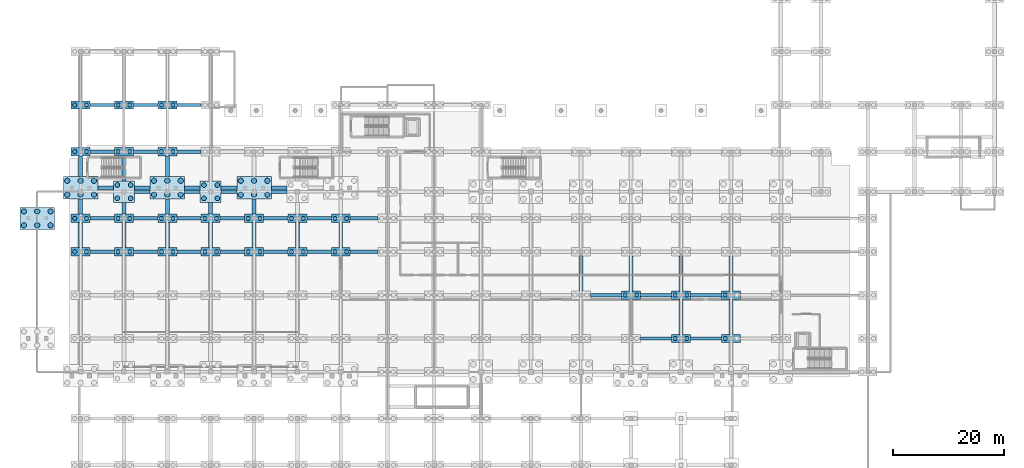
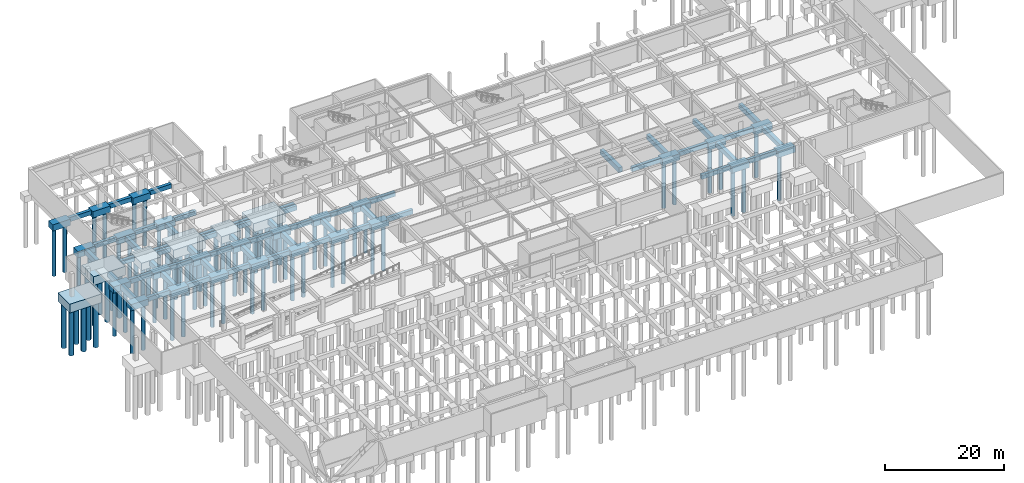
# One storey, part 5 of 26: 86 footings, 80 piles.
"""IFC4 building model written with IfcOpenShell, lengths in metres."""

from ifc_helpers import new_model, si_unit, direction, frame, origin, origin_2d, place, context, subcontext, project, spatial, rectangle, circle, extrude, material, material_profile, profile_set, type_object, element, save


model = new_model("IFC4")

# Units and contexts
model_context = context("Model", 3, precision=1e-05, world=origin(), true_north=direction((0.0, 1.0)))
body_context = subcontext(model_context, "Body", "Model", "MODEL_VIEW")
ifc_project = project(units=[si_unit("LENGTHUNIT", "METRE"), si_unit("AREAUNIT", "SQUARE_METRE"), si_unit("VOLUMEUNIT", "CUBIC_METRE"), si_unit("PLANEANGLEUNIT", "RADIAN"), si_unit("MASSUNIT", "GRAM", prefix="KILO")], contexts=[model_context])

# Site, building, storey
site_placement = place(None, origin())
site = spatial("IfcSite", under=ifc_project, at=site_placement, CompositionType="ELEMENT")
building_placement = place(site_placement, origin())
building = spatial("IfcBuilding", under=site, at=building_placement, Name="Tizgana Railside Sports Hall", CompositionType="ELEMENT")
storey_placement = place(building_placement, frame((0.0, 0.0, -4.800048828125)))
storey = spatial("IfcBuildingStorey", under=building, at=storey_placement, Name="B1", CompositionType="ELEMENT", Elevation=-4.800048828125)

# Piles
ifc_material = material(Name="Concrete C35/45", Category="concrete")
ifc_material_profile_1 = material_profile(ifc_material, circle(Radius=0.375, at=origin_2d()), Name="PILE D750")
ifc_profile_set_1 = profile_set([ifc_material_profile_1], Name="Concrete C35/45")
pile_type_1 = type_object("IfcPileType", Name="Bored Pile D750", PredefinedType="BORED", material=ifc_profile_set_1)
for number, where, z_axis, x_axis, name in (
    (1, (6.75, 62.39990234375, -1.619873046875), (0.0, 0.0, -1.0), (1.0, 0.0, 0.0), "B1 PIL-0039"),
    (2, (8.85009765625, 62.39990234375, -1.619873046875), (0.0, 0.0, -1.0), (1.0, 0.0, 0.0), "B1 PIL-0040"),
    (3, (6.75, 68.39990234375, -1.619873046875), (0.0, 0.0, -1.0), (1.0, 0.0, 0.0), "B1 PIL-0041"),
    (4, (8.85009765625, 68.39990234375, -1.619873046875), (0.0, 0.0, -1.0), (1.0, 0.0, 0.0), "B1 PIL-0042"),
    (5, (6.75, 80.39990234375, -1.619873046875), (0.0, 0.0, -1.0), (1.0, 0.0, 0.0), "B1 PIL-0043"),
    (6, (8.85009765625, 80.39990234375, -1.619873046875), (0.0, 0.0, -1.0), (1.0, 0.0, 0.0), "B1 PIL-0044"),
):
    element("IfcPile", number, at=place(storey_placement, frame(where, z_axis=z_axis, x_axis=x_axis)), inside=storey, type_object=pile_type_1, Name=name, PredefinedType="BORED", context=body_context, shape_type="SweptSolid", body=[
        extrude(circle(Radius=0.375, at=origin_2d()), origin(), (0.0, 0.0, 1.0), 9.3798828125),
    ])
for number, where, z_axis, x_axis, name in (
    (7, (6.75, 88.800048828125, -1.199951171875), (0.0, 0.0, -1.0), (1.0, 0.0, 0.0), "B1 PIL-0045"),
    (8, (8.85009765625, 88.800048828125, -1.199951171875), (0.0, 0.0, -1.0), (1.0, 0.0, 0.0), "B1 PIL-0046"),
):
    element("IfcPile", number, at=place(storey_placement, frame(where, z_axis=z_axis, x_axis=x_axis)), inside=storey, type_object=pile_type_1, Name=name, PredefinedType="BORED", context=body_context, shape_type="SweptSolid", body=[
        extrude(circle(Radius=0.375, at=origin_2d()), origin(), (0.0, 0.0, 1.0), 9.800048828125),
    ])
for number, where, z_axis, x_axis, name in (
    (9, (14.550048828125, 62.39990234375, -1.619873046875), (0.0, 0.0, -1.0), (1.0, 0.0, 0.0), "B1 PIL-0067"),
    (10, (16.64990234375, 62.39990234375, -1.619873046875), (0.0, 0.0, -1.0), (1.0, 0.0, 0.0), "B1 PIL-0068"),
    (11, (14.550048828125, 68.39990234375, -1.619873046875), (0.0, 0.0, -1.0), (1.0, 0.0, 0.0), "B1 PIL-0069"),
    (12, (16.64990234375, 68.39990234375, -1.619873046875), (0.0, 0.0, -1.0), (1.0, 0.0, 0.0), "B1 PIL-0070"),
    (13, (14.550048828125, 80.39990234375, -1.619873046875), (0.0, 0.0, -1.0), (1.0, 0.0, 0.0), "B1 PIL-0075"),
    (14, (16.64990234375, 80.39990234375, -1.619873046875), (0.0, 0.0, -1.0), (1.0, 0.0, 0.0), "B1 PIL-0076"),
):
    element("IfcPile", number, at=place(storey_placement, frame(where, z_axis=z_axis, x_axis=x_axis)), inside=storey, type_object=pile_type_1, Name=name, PredefinedType="BORED", context=body_context, shape_type="SweptSolid", body=[
        extrude(circle(Radius=0.375, at=origin_2d()), origin(), (0.0, 0.0, 1.0), 9.3798828125),
    ])
for number, where, z_axis, x_axis, name in (
    (15, (14.550048828125, 88.800048828125, -1.199951171875), (0.0, 0.0, -1.0), (1.0, 0.0, 0.0), "B1 PIL-0077"),
    (16, (16.64990234375, 88.800048828125, -1.199951171875), (0.0, 0.0, -1.0), (1.0, 0.0, 0.0), "B1 PIL-0078"),
):
    element("IfcPile", number, at=place(storey_placement, frame(where, z_axis=z_axis, x_axis=x_axis)), inside=storey, type_object=pile_type_1, Name=name, PredefinedType="BORED", context=body_context, shape_type="SweptSolid", body=[
        extrude(circle(Radius=0.375, at=origin_2d()), origin(), (0.0, 0.0, 1.0), 9.800048828125),
    ])
for number, where, z_axis, x_axis, name in (
    (17, (22.35009765625, 62.39990234375, -1.619873046875), (0.0, 0.0, -1.0), (1.0, 0.0, 0.0), "B1 PIL-0107"),
    (18, (24.449951171875, 62.39990234375, -1.619873046875), (0.0, 0.0, -1.0), (1.0, 0.0, 0.0), "B1 PIL-0108"),
    (19, (22.35009765625, 68.39990234375, -1.619873046875), (0.0, 0.0, -1.0), (1.0, 0.0, 0.0), "B1 PIL-0109"),
    (20, (24.449951171875, 68.39990234375, -1.619873046875), (0.0, 0.0, -1.0), (1.0, 0.0, 0.0), "B1 PIL-0110"),
    (21, (22.35009765625, 80.39990234375, -1.619873046875), (0.0, 0.0, -1.0), (1.0, 0.0, 0.0), "B1 PIL-0111"),
    (22, (24.449951171875, 80.39990234375, -1.619873046875), (0.0, 0.0, -1.0), (1.0, 0.0, 0.0), "B1 PIL-0112"),
):
    element("IfcPile", number, at=place(storey_placement, frame(where, z_axis=z_axis, x_axis=x_axis)), inside=storey, type_object=pile_type_1, Name=name, PredefinedType="BORED", context=body_context, shape_type="SweptSolid", body=[
        extrude(circle(Radius=0.375, at=origin_2d()), origin(), (0.0, 0.0, 1.0), 9.3798828125),
    ])
for number, where, z_axis, x_axis, name in (
    (23, (22.35009765625, 88.800048828125, -1.199951171875), (0.0, 0.0, -1.0), (1.0, 0.0, 0.0), "B1 PIL-0113"),
    (24, (24.449951171875, 88.800048828125, -1.199951171875), (0.0, 0.0, -1.0), (1.0, 0.0, 0.0), "B1 PIL-0114"),
):
    element("IfcPile", number, at=place(storey_placement, frame(where, z_axis=z_axis, x_axis=x_axis)), inside=storey, type_object=pile_type_1, Name=name, PredefinedType="BORED", context=body_context, shape_type="SweptSolid", body=[
        extrude(circle(Radius=0.375, at=origin_2d()), origin(), (0.0, 0.0, 1.0), 9.800048828125),
    ])
for number, where, z_axis, x_axis, name in (
    (25, (30.14990234375, 62.39990234375, -1.619873046875), (0.0, 0.0, -1.0), (1.0, 0.0, 0.0), "B1 PIL-0135"),
    (26, (32.25, 62.39990234375, -1.619873046875), (0.0, 0.0, -1.0), (1.0, 0.0, 0.0), "B1 PIL-0136"),
    (27, (30.14990234375, 68.39990234375, -1.619873046875), (0.0, 0.0, -1.0), (1.0, 0.0, 0.0), "B1 PIL-0137"),
    (28, (32.25, 68.39990234375, -1.619873046875), (0.0, 0.0, -1.0), (1.0, 0.0, 0.0), "B1 PIL-0138"),
    (29, (37.949951171875, 62.39990234375, -1.619873046875), (0.0, 0.0, -1.0), (1.0, 0.0, 0.0), "B1 PIL-0175"),
    (30, (40.050048828125, 62.39990234375, -1.619873046875), (0.0, 0.0, -1.0), (1.0, 0.0, 0.0), "B1 PIL-0176"),
    (31, (37.949951171875, 68.39990234375, -1.619873046875), (0.0, 0.0, -1.0), (1.0, 0.0, 0.0), "B1 PIL-0177"),
    (32, (40.050048828125, 68.39990234375, -1.619873046875), (0.0, 0.0, -1.0), (1.0, 0.0, 0.0), "B1 PIL-0178"),
    (33, (45.75, 62.39990234375, -1.619873046875), (0.0, 0.0, -1.0), (1.0, 0.0, 0.0), "B1 PIL-0199"),
    (34, (47.85009765625, 62.39990234375, -1.619873046875), (0.0, 0.0, -1.0), (1.0, 0.0, 0.0), "B1 PIL-0200"),
    (35, (45.75, 68.39990234375, -1.619873046875), (0.0, 0.0, -1.0), (1.0, 0.0, 0.0), "B1 PIL-0201"),
    (36, (47.85009765625, 68.39990234375, -1.619873046875), (0.0, 0.0, -1.0), (1.0, 0.0, 0.0), "B1 PIL-0202"),
    (37, (53.550048828125, 62.39990234375, -1.619873046875), (0.0, 0.0, -1.0), (1.0, 0.0, 0.0), "B1 PIL-0235"),
    (38, (55.64990234375, 62.39990234375, -1.619873046875), (0.0, 0.0, -1.0), (1.0, 0.0, 0.0), "B1 PIL-0236"),
    (39, (53.550048828125, 68.39990234375, -1.619873046875), (0.0, 0.0, -1.0), (1.0, 0.0, 0.0), "B1 PIL-0237"),
    (40, (55.64990234375, 68.39990234375, -1.619873046875), (0.0, 0.0, -1.0), (1.0, 0.0, 0.0), "B1 PIL-0238"),
    (41, (105.75, 54.60009765625, -1.619873046875), (0.0, 0.0, -1.0), (1.0, 0.0, 0.0), "B1 PIL-0399"),
    (42, (107.85009765625, 54.60009765625, -1.619873046875), (0.0, 0.0, -1.0), (1.0, 0.0, 0.0), "B1 PIL-0400"),
    (43, (114.75, 46.800048828125, -1.619873046875), (0.0, 0.0, -1.0), (1.0, 0.0, 0.0), "B1 PIL-0423"),
    (44, (116.85009765625, 46.800048828125, -1.619873046875), (0.0, 0.0, -1.0), (1.0, 0.0, 0.0), "B1 PIL-0424"),
    (45, (114.75, 54.60009765625, -1.619873046875), (0.0, 0.0, -1.0), (1.0, 0.0, 0.0), "B1 PIL-0425"),
    (46, (116.85009765625, 54.60009765625, -1.619873046875), (0.0, 0.0, -1.0), (1.0, 0.0, 0.0), "B1 PIL-0426"),
    (47, (123.75, 46.800048828125, -1.619873046875), (0.0, 0.0, -1.0), (1.0, 0.0, 0.0), "B1 PIL-0453"),
    (48, (123.75, 54.60009765625, -1.619873046875), (0.0, 0.0, -1.0), (1.0, 0.0, 0.0), "B1 PIL-0455"),
):
    element("IfcPile", number, at=place(storey_placement, frame(where, z_axis=z_axis, x_axis=x_axis)), inside=storey, type_object=pile_type_1, Name=name, PredefinedType="BORED", context=body_context, shape_type="SweptSolid", body=[
        extrude(circle(Radius=0.375, at=origin_2d()), origin(), (0.0, 0.0, 1.0), 9.3798828125),
    ])
ifc_material_profile_2 = material_profile(ifc_material, circle(Radius=0.425048828125, at=origin_2d()), Name="PILE D850")
ifc_profile_set_2 = profile_set([ifc_material_profile_2], Name="Concrete C35/45")
pile_type_2 = type_object("IfcPileType", Name="Bored Pile D850", PredefinedType="BORED", material=ifc_profile_set_2)
for number, where, z_axis, x_axis, name in (
    (49, (14.39990234375, 72.0, -1.820068359375), (0.0, 0.0, -1.0), (1.0, 0.0, 0.0), "B1 PIL-0071"),
    (50, (16.800048828125, 72.0, -1.820068359375), (0.0, 0.0, -1.0), (1.0, 0.0, 0.0), "B1 PIL-0072"),
    (51, (14.39990234375, 74.39990234375, -1.820068359375), (0.0, 0.0, -1.0), (1.0, 0.0, 0.0), "B1 PIL-0073"),
    (52, (16.800048828125, 74.39990234375, -1.820068359375), (0.0, 0.0, -1.0), (1.0, 0.0, 0.0), "B1 PIL-0074"),
    (53, (30.0, 72.0, -1.820068359375), (0.0, 0.0, -1.0), (1.0, 0.0, 0.0), "B1 PIL-0139"),
    (54, (32.39990234375, 72.0, -1.820068359375), (0.0, 0.0, -1.0), (1.0, 0.0, 0.0), "B1 PIL-0140"),
    (55, (30.0, 74.39990234375, -1.820068359375), (0.0, 0.0, -1.0), (1.0, 0.0, 0.0), "B1 PIL-0141"),
    (56, (32.39990234375, 74.39990234375, -1.820068359375), (0.0, 0.0, -1.0), (1.0, 0.0, 0.0), "B1 PIL-0142"),
):
    element("IfcPile", number, at=place(storey_placement, frame(where, z_axis=z_axis, x_axis=x_axis)), inside=storey, type_object=pile_type_2, Name=name, PredefinedType="BORED", context=body_context, shape_type="SweptSolid", body=[
        extrude(circle(Radius=0.425048828125, at=origin_2d()), origin(), (0.0, 0.0, 1.0), 9.179931640625),
    ])
ifc_material_profile_3 = material_profile(ifc_material, circle(Radius=0.47509765625, at=origin_2d()), Name="PILE D950")
ifc_profile_set_3 = profile_set([ifc_material_profile_3], Name="Concrete C35/45")
pile_type_3 = type_object("IfcPileType", Name="Bored Pile D950", PredefinedType="BORED", material=ifc_profile_set_3)
for number, where, z_axis, x_axis, name in (
    (57, (-2.39990234375, 67.14990234375, -1.699951171875), (0.0, 0.0, -1.0), (1.0, 0.0, 0.0), "B1 PIL-0007"),
    (58, (-2.39990234375, 69.64990234375, -1.699951171875), (0.0, 0.0, -1.0), (1.0, 0.0, 0.0), "B1 PIL-0008"),
    (59, (0.0, 67.14990234375, -1.699951171875), (0.0, 0.0, -1.0), (1.0, 0.0, 0.0), "B1 PIL-0009"),
    (60, (0.0, 69.64990234375, -1.699951171875), (0.0, 0.0, -1.0), (1.0, 0.0, 0.0), "B1 PIL-0010"),
    (61, (2.39990234375, 67.14990234375, -1.699951171875), (0.0, 0.0, -1.0), (1.0, 0.0, 0.0), "B1 PIL-0011"),
    (62, (2.39990234375, 69.64990234375, -1.699951171875), (0.0, 0.0, -1.0), (1.0, 0.0, 0.0), "B1 PIL-0012"),
):
    element("IfcPile", number, at=place(storey_placement, frame(where, z_axis=z_axis, x_axis=x_axis)), inside=storey, type_object=pile_type_3, Name=name, PredefinedType="BORED", context=body_context, shape_type="SweptSolid", body=[
        extrude(circle(Radius=0.47509765625, at=origin_2d()), origin(), (0.0, 0.0, 1.0), 9.300048828125),
    ])
for number, where, z_axis, x_axis, name in (
    (63, (5.39990234375, 72.669921875, -2.119873046875), (0.0, 0.0, -1.0), (1.0, 0.0, 0.0), "B1 PIL-0019"),
    (64, (5.39990234375, 75.169921875, -2.119873046875), (0.0, 0.0, -1.0), (1.0, 0.0, 0.0), "B1 PIL-0020"),
    (65, (7.800048828125, 72.669921875, -2.119873046875), (0.0, 0.0, -1.0), (1.0, 0.0, 0.0), "B1 PIL-0021"),
    (66, (7.800048828125, 75.169921875, -2.119873046875), (0.0, 0.0, -1.0), (1.0, 0.0, 0.0), "B1 PIL-0022"),
    (67, (10.199951171875, 72.669921875, -2.119873046875), (0.0, 0.0, -1.0), (1.0, 0.0, 0.0), "B1 PIL-0023"),
    (68, (10.199951171875, 75.169921875, -2.119873046875), (0.0, 0.0, -1.0), (1.0, 0.0, 0.0), "B1 PIL-0024"),
    (69, (21.0, 72.669921875, -2.119873046875), (0.0, 0.0, -1.0), (1.0, 0.0, 0.0), "B1 PIL-0087"),
    (70, (21.0, 75.169921875, -2.119873046875), (0.0, 0.0, -1.0), (1.0, 0.0, 0.0), "B1 PIL-0088"),
    (71, (23.39990234375, 72.669921875, -2.119873046875), (0.0, 0.0, -1.0), (1.0, 0.0, 0.0), "B1 PIL-0089"),
    (72, (23.39990234375, 75.169921875, -2.119873046875), (0.0, 0.0, -1.0), (1.0, 0.0, 0.0), "B1 PIL-0090"),
    (73, (25.800048828125, 72.669921875, -2.119873046875), (0.0, 0.0, -1.0), (1.0, 0.0, 0.0), "B1 PIL-0091"),
    (74, (25.800048828125, 75.169921875, -2.119873046875), (0.0, 0.0, -1.0), (1.0, 0.0, 0.0), "B1 PIL-0092"),
    (75, (36.60009765625, 72.669921875, -2.119873046875), (0.0, 0.0, -1.0), (1.0, 0.0, 0.0), "B1 PIL-0155"),
    (76, (36.60009765625, 75.169921875, -2.119873046875), (0.0, 0.0, -1.0), (1.0, 0.0, 0.0), "B1 PIL-0156"),
    (77, (39.0, 72.669921875, -2.119873046875), (0.0, 0.0, -1.0), (1.0, 0.0, 0.0), "B1 PIL-0157"),
    (78, (39.0, 75.169921875, -2.119873046875), (0.0, 0.0, -1.0), (1.0, 0.0, 0.0), "B1 PIL-0158"),
    (79, (41.39990234375, 72.669921875, -2.119873046875), (0.0, 0.0, -1.0), (1.0, 0.0, 0.0), "B1 PIL-0159"),
    (80, (41.39990234375, 75.169921875, -2.119873046875), (0.0, 0.0, -1.0), (1.0, 0.0, 0.0), "B1 PIL-0160"),
):
    element("IfcPile", number, at=place(storey_placement, frame(where, z_axis=z_axis, x_axis=x_axis)), inside=storey, type_object=pile_type_3, Name=name, PredefinedType="BORED", context=body_context, shape_type="SweptSolid", body=[
        extrude(circle(Radius=0.47509765625, at=origin_2d()), origin(), (0.0, 0.0, 1.0), 8.8798828125),
    ])

# Footings
footing_type_1 = type_object("IfcFootingType", Name="Four-Pile Cap 3800x3800x1500", PredefinedType="PILE_CAP", material=ifc_material)
for number, where, z_axis, x_axis, name in (
    (81, (15.60009765625, 73.199951171875, -1.919921875), (0.0, 0.0, 1.0), (1.0, 0.0, 0.0), "B1 FTG-0027"),
    (82, (31.199951171875, 73.199951171875, -1.919921875), (0.0, 0.0, 1.0), (1.0, 0.0, 0.0), "B1 FTG-0055"),
):
    element("IfcFooting", number, at=place(storey_placement, frame(where, z_axis=z_axis, x_axis=x_axis)), inside=storey, type_object=footing_type_1, Name=name, PredefinedType="PILE_CAP", context=body_context, shape_type="SweptSolid", body=[
        extrude(rectangle(XDim=3.800048828125, YDim=3.800048828125, at=origin_2d()), origin(), (0.0, 0.0, 1.0), 1.5),
    ])
footing_type_2 = type_object("IfcFootingType", Name="Ground Tie Beam 600x900", PredefinedType="FOOTING_BEAM", material=ifc_material)
for number, where, z_axis, x_axis, name in (
    (83, (111.300048828125, 46.800048828125, -1.31982421875), (0.0, 0.0, 1.0), (1.0, 0.0, 0.0), "B1 FTG-0333"),
    (84, (120.300048828125, 46.800048828125, -1.31982421875), (0.0, 0.0, 1.0), (1.0, 0.0, 0.0), "B1 FTG-0334"),
    (85, (102.300048828125, 54.60009765625, -1.31982421875), (0.0, 0.0, 1.0), (1.0, 0.0, 0.0), "B1 FTG-0347"),
    (86, (111.300048828125, 54.60009765625, -1.31982421875), (0.0, 0.0, 1.0), (1.0, 0.0, 0.0), "B1 FTG-0348"),
    (87, (120.300048828125, 54.60009765625, -1.31982421875), (0.0, 0.0, 1.0), (1.0, 0.0, 0.0), "B1 FTG-0349"),
):
    element("IfcFooting", number, at=place(storey_placement, frame(where, z_axis=z_axis, x_axis=x_axis)), inside=storey, type_object=footing_type_2, Name=name, PredefinedType="FOOTING_BEAM", context=body_context, shape_type="SweptSolid", body=[
        extrude(rectangle(XDim=5.60400390625, YDim=0.60009765625, at=origin_2d()), origin(), (0.0, 0.0, 1.0), 0.89990234375),
    ])
for number, where, z_axis, x_axis, name in (
    (88, (11.699951171875, 62.39990234375, -1.31982421875), (0.0, 0.0, 1.0), (1.0, 0.0, 0.0), "B1 FTG-0351"),
    (89, (19.5, 62.39990234375, -1.31982421875), (0.0, 0.0, 1.0), (1.0, 0.0, 0.0), "B1 FTG-0352"),
    (90, (27.300048828125, 62.39990234375, -1.31982421875), (0.0, 0.0, 1.0), (1.0, 0.0, 0.0), "B1 FTG-0353"),
    (91, (35.10009765625, 62.39990234375, -1.31982421875), (0.0, 0.0, 1.0), (1.0, 0.0, 0.0), "B1 FTG-0354"),
    (92, (42.89990234375, 62.39990234375, -1.31982421875), (0.0, 0.0, 1.0), (1.0, 0.0, 0.0), "B1 FTG-0355"),
    (93, (50.699951171875, 62.39990234375, -1.31982421875), (0.0, 0.0, 1.0), (1.0, 0.0, 0.0), "B1 FTG-0356"),
):
    element("IfcFooting", number, at=place(storey_placement, frame(where, z_axis=z_axis, x_axis=x_axis)), inside=storey, type_object=footing_type_2, Name=name, PredefinedType="FOOTING_BEAM", context=body_context, shape_type="SweptSolid", body=[
        extrude(rectangle(XDim=4.404052734375, YDim=0.60009765625, at=origin_2d()), origin(), (0.0, 0.0, 1.0), 0.89990234375),
    ])
footing_1_placement = place(storey_placement, frame((58.800048828125, 62.39990234375, -1.31982421875), z_axis=(0.0, 0.0, 1.0), x_axis=(1.0, 0.0, 0.0)))
element("IfcFooting", 94, at=footing_1_placement, inside=storey, type_object=footing_type_2, Name="B1 FTG-0357", PredefinedType="FOOTING_BEAM", context=body_context, shape_type="SweptSolid", body=[
    extrude(rectangle(XDim=5.00390625, YDim=0.60009765625, at=origin_2d()), origin(), (0.0, 0.0, 1.0), 0.89990234375),
])
for number, where, z_axis, x_axis, name in (
    (95, (11.699951171875, 68.39990234375, -1.31982421875), (0.0, 0.0, 1.0), (1.0, 0.0, 0.0), "B1 FTG-0366"),
    (96, (19.5, 68.39990234375, -1.31982421875), (0.0, 0.0, 1.0), (1.0, 0.0, 0.0), "B1 FTG-0367"),
    (97, (27.300048828125, 68.39990234375, -1.31982421875), (0.0, 0.0, 1.0), (1.0, 0.0, 0.0), "B1 FTG-0368"),
    (98, (35.10009765625, 68.39990234375, -1.31982421875), (0.0, 0.0, 1.0), (1.0, 0.0, 0.0), "B1 FTG-0369"),
    (99, (42.89990234375, 68.39990234375, -1.31982421875), (0.0, 0.0, 1.0), (1.0, 0.0, 0.0), "B1 FTG-0370"),
    (100, (50.699951171875, 68.39990234375, -1.31982421875), (0.0, 0.0, 1.0), (1.0, 0.0, 0.0), "B1 FTG-0371"),
):
    element("IfcFooting", number, at=place(storey_placement, frame(where, z_axis=z_axis, x_axis=x_axis)), inside=storey, type_object=footing_type_2, Name=name, PredefinedType="FOOTING_BEAM", context=body_context, shape_type="SweptSolid", body=[
        extrude(rectangle(XDim=4.404052734375, YDim=0.60009765625, at=origin_2d()), origin(), (0.0, 0.0, 1.0), 0.89990234375),
    ])
footing_2_placement = place(storey_placement, frame((58.800048828125, 68.39990234375, -1.31982421875), z_axis=(0.0, 0.0, 1.0), x_axis=(1.0, 0.0, 0.0)))
element("IfcFooting", 101, at=footing_2_placement, inside=storey, type_object=footing_type_2, Name="B1 FTG-0372", PredefinedType="FOOTING_BEAM", context=body_context, shape_type="SweptSolid", body=[
    extrude(rectangle(XDim=5.00390625, YDim=0.60009765625, at=origin_2d()), origin(), (0.0, 0.0, 1.0), 0.89990234375),
])
for number, where, z_axis, x_axis, name in (
    (102, (18.89990234375, 73.199951171875, -1.31982421875), (0.0, 0.0, 1.0), (1.0, 0.0, 0.0), "B1 FTG-0381"),
    (103, (27.89990234375, 73.199951171875, -1.31982421875), (0.0, 0.0, 1.0), (1.0, 0.0, 0.0), "B1 FTG-0382"),
    (104, (34.5, 73.199951171875, -1.31982421875), (0.0, 0.0, 1.0), (1.0, 0.0, 0.0), "B1 FTG-0383"),
    (105, (43.5, 73.199951171875, -1.31982421875), (0.0, 0.0, 1.0), (1.0, 0.0, 0.0), "B1 FTG-0384"),
    (106, (12.300048828125, 73.919921875, -1.31982421875), (0.0, 0.0, 1.0), (1.0, 0.0, 0.0), "B1 FTG-0397"),
    (107, (18.89990234375, 73.919921875, -1.31982421875), (0.0, 0.0, 1.0), (1.0, 0.0, 0.0), "B1 FTG-0398"),
    (108, (27.89990234375, 73.919921875, -1.31982421875), (0.0, 0.0, 1.0), (1.0, 0.0, 0.0), "B1 FTG-0399"),
    (109, (34.5, 73.919921875, -1.31982421875), (0.0, 0.0, 1.0), (1.0, 0.0, 0.0), "B1 FTG-0400"),
    (110, (43.5, 73.919921875, -1.31982421875), (0.0, 0.0, 1.0), (1.0, 0.0, 0.0), "B1 FTG-0401"),
):
    element("IfcFooting", number, at=place(storey_placement, frame(where, z_axis=z_axis, x_axis=x_axis)), inside=storey, type_object=footing_type_2, Name=name, PredefinedType="FOOTING_BEAM", context=body_context, shape_type="SweptSolid", body=[
        extrude(rectangle(XDim=2.803955078125, YDim=0.60009765625, at=origin_2d()), origin(), (0.0, 0.0, 1.0), 0.89990234375),
    ])
for number, where, z_axis, x_axis, name in (
    (111, (11.699951171875, 80.39990234375, -1.31982421875), (0.0, 0.0, 1.0), (1.0, 0.0, 0.0), "B1 FTG-0403"),
    (112, (19.5, 80.39990234375, -1.31982421875), (0.0, 0.0, 1.0), (1.0, 0.0, 0.0), "B1 FTG-0404"),
    (113, (27.300048828125, 80.39990234375, -1.31982421875), (0.0, 0.0, 1.0), (1.0, 0.0, 0.0), "B1 FTG-0405"),
    (114, (11.699951171875, 88.800048828125, -0.89990234375), (0.0, 0.0, 1.0), (1.0, 0.0, 0.0), "B1 FTG-0422"),
    (115, (19.5, 88.800048828125, -0.89990234375), (0.0, 0.0, 1.0), (1.0, 0.0, 0.0), "B1 FTG-0423"),
    (116, (27.300048828125, 88.800048828125, -0.89990234375), (0.0, 0.0, 1.0), (1.0, 0.0, 0.0), "B1 FTG-0424"),
):
    element("IfcFooting", number, at=place(storey_placement, frame(where, z_axis=z_axis, x_axis=x_axis)), inside=storey, type_object=footing_type_2, Name=name, PredefinedType="FOOTING_BEAM", context=body_context, shape_type="SweptSolid", body=[
        extrude(rectangle(XDim=4.404052734375, YDim=0.60009765625, at=origin_2d()), origin(), (0.0, 0.0, 1.0), 0.89990234375),
    ])
footing_type_3 = type_object("IfcFootingType", Name="Perimeter Ground Beam 700x1000", PredefinedType="FOOTING_BEAM", material=ifc_material)
footing_3_placement = place(storey_placement, frame((7.800048828125, 65.39990234375, -1.419921875), z_axis=(0.0, 0.0, 1.0), x_axis=(0.0, 1.0, 0.0)))
element("IfcFooting", 117, at=footing_3_placement, inside=storey, type_object=footing_type_3, Name="B1 FTG-0450", PredefinedType="FOOTING_BEAM", context=body_context, shape_type="SweptSolid", body=[
    extrude(rectangle(XDim=4.50390625, YDim=0.699951171875, at=origin_2d()), origin(), (0.0, 0.0, 1.0), 1.0),
])
footing_4_placement = place(storey_placement, frame((7.800048828125, 70.534912109375, -1.419921875), z_axis=(0.0, 0.0, 1.0), x_axis=(0.0, 1.0, 0.0)))
element("IfcFooting", 118, at=footing_4_placement, inside=storey, type_object=footing_type_3, Name="B1 FTG-0451", PredefinedType="FOOTING_BEAM", context=body_context, shape_type="SweptSolid", body=[
    extrude(rectangle(XDim=2.77392578125, YDim=0.699951171875, at=origin_2d()), origin(), (0.0, 0.0, 1.0), 1.0),
])
footing_5_placement = place(storey_placement, frame((7.800048828125, 77.784912109375, -1.419921875), z_axis=(0.0, 0.0, 1.0), x_axis=(0.0, 1.0, 0.0)))
element("IfcFooting", 119, at=footing_5_placement, inside=storey, type_object=footing_type_3, Name="B1 FTG-0452", PredefinedType="FOOTING_BEAM", context=body_context, shape_type="SweptSolid", body=[
    extrude(rectangle(XDim=3.73388671875, YDim=0.699951171875, at=origin_2d()), origin(), (0.0, 0.0, 1.0), 1.0),
])
footing_6_placement = place(storey_placement, frame((15.60009765625, 65.39990234375, -1.419921875), z_axis=(0.0, 0.0, 1.0), x_axis=(0.0, 1.0, 0.0)))
element("IfcFooting", 120, at=footing_6_placement, inside=storey, type_object=footing_type_3, Name="B1 FTG-0461", PredefinedType="FOOTING_BEAM", context=body_context, shape_type="SweptSolid", body=[
    extrude(rectangle(XDim=4.50390625, YDim=0.699951171875, at=origin_2d()), origin(), (0.0, 0.0, 1.0), 1.0),
])
footing_7_placement = place(storey_placement, frame((15.60009765625, 70.22509765625, -1.419921875), z_axis=(0.0, 0.0, 1.0), x_axis=(0.0, 1.0, 0.0)))
element("IfcFooting", 121, at=footing_7_placement, inside=storey, type_object=footing_type_3, Name="B1 FTG-0462", PredefinedType="FOOTING_BEAM", context=body_context, shape_type="SweptSolid", body=[
    extrude(rectangle(XDim=2.154052734375, YDim=0.699951171875, at=origin_2d()), origin(), (0.0, 0.0, 1.0), 1.0),
])
footing_8_placement = place(storey_placement, frame((15.60009765625, 77.375, -1.419921875), z_axis=(0.0, 0.0, 1.0), x_axis=(0.0, 1.0, 0.0)))
element("IfcFooting", 122, at=footing_8_placement, inside=storey, type_object=footing_type_3, Name="B1 FTG-0463", PredefinedType="FOOTING_BEAM", context=body_context, shape_type="SweptSolid", body=[
    extrude(rectangle(XDim=4.553955078125, YDim=0.699951171875, at=origin_2d()), origin(), (0.0, 0.0, 1.0), 1.0),
])
footing_9_placement = place(storey_placement, frame((23.39990234375, 65.39990234375, -1.419921875), z_axis=(0.0, 0.0, 1.0), x_axis=(0.0, 1.0, 0.0)))
element("IfcFooting", 123, at=footing_9_placement, inside=storey, type_object=footing_type_3, Name="B1 FTG-0472", PredefinedType="FOOTING_BEAM", context=body_context, shape_type="SweptSolid", body=[
    extrude(rectangle(XDim=4.50390625, YDim=0.699951171875, at=origin_2d()), origin(), (0.0, 0.0, 1.0), 1.0),
])
footing_10_placement = place(storey_placement, frame((23.39990234375, 70.534912109375, -1.419921875), z_axis=(0.0, 0.0, 1.0), x_axis=(0.0, 1.0, 0.0)))
element("IfcFooting", 124, at=footing_10_placement, inside=storey, type_object=footing_type_3, Name="B1 FTG-0473", PredefinedType="FOOTING_BEAM", context=body_context, shape_type="SweptSolid", body=[
    extrude(rectangle(XDim=2.77392578125, YDim=0.699951171875, at=origin_2d()), origin(), (0.0, 0.0, 1.0), 1.0),
])
footing_11_placement = place(storey_placement, frame((23.39990234375, 77.784912109375, -1.419921875), z_axis=(0.0, 0.0, 1.0), x_axis=(0.0, 1.0, 0.0)))
element("IfcFooting", 125, at=footing_11_placement, inside=storey, type_object=footing_type_3, Name="B1 FTG-0474", PredefinedType="FOOTING_BEAM", context=body_context, shape_type="SweptSolid", body=[
    extrude(rectangle(XDim=3.73388671875, YDim=0.699951171875, at=origin_2d()), origin(), (0.0, 0.0, 1.0), 1.0),
])
footing_12_placement = place(storey_placement, frame((31.199951171875, 65.39990234375, -1.419921875), z_axis=(0.0, 0.0, 1.0), x_axis=(0.0, 1.0, 0.0)))
element("IfcFooting", 126, at=footing_12_placement, inside=storey, type_object=footing_type_3, Name="B1 FTG-0483", PredefinedType="FOOTING_BEAM", context=body_context, shape_type="SweptSolid", body=[
    extrude(rectangle(XDim=4.50390625, YDim=0.699951171875, at=origin_2d()), origin(), (0.0, 0.0, 1.0), 1.0),
])
footing_13_placement = place(storey_placement, frame((31.199951171875, 70.22509765625, -1.419921875), z_axis=(0.0, 0.0, 1.0), x_axis=(0.0, 1.0, 0.0)))
element("IfcFooting", 127, at=footing_13_placement, inside=storey, type_object=footing_type_3, Name="B1 FTG-0484", PredefinedType="FOOTING_BEAM", context=body_context, shape_type="SweptSolid", body=[
    extrude(rectangle(XDim=2.154052734375, YDim=0.699951171875, at=origin_2d()), origin(), (0.0, 0.0, 1.0), 1.0),
])
footing_14_placement = place(storey_placement, frame((39.0, 65.39990234375, -1.419921875), z_axis=(0.0, 0.0, 1.0), x_axis=(0.0, 1.0, 0.0)))
element("IfcFooting", 128, at=footing_14_placement, inside=storey, type_object=footing_type_3, Name="B1 FTG-0494", PredefinedType="FOOTING_BEAM", context=body_context, shape_type="SweptSolid", body=[
    extrude(rectangle(XDim=4.50390625, YDim=0.699951171875, at=origin_2d()), origin(), (0.0, 0.0, 1.0), 1.0),
])
footing_15_placement = place(storey_placement, frame((39.0, 70.534912109375, -1.419921875), z_axis=(0.0, 0.0, 1.0), x_axis=(0.0, 1.0, 0.0)))
element("IfcFooting", 129, at=footing_15_placement, inside=storey, type_object=footing_type_3, Name="B1 FTG-0495", PredefinedType="FOOTING_BEAM", context=body_context, shape_type="SweptSolid", body=[
    extrude(rectangle(XDim=2.77392578125, YDim=0.699951171875, at=origin_2d()), origin(), (0.0, 0.0, 1.0), 1.0),
])
for number, where, z_axis, x_axis, name in (
    (130, (46.800048828125, 65.39990234375, -1.419921875), (0.0, 0.0, 1.0), (0.0, 1.0, 0.0), "B1 FTG-0504"),
    (131, (54.60009765625, 65.39990234375, -1.419921875), (0.0, 0.0, 1.0), (0.0, 1.0, 0.0), "B1 FTG-0514"),
):
    element("IfcFooting", number, at=place(storey_placement, frame(where, z_axis=z_axis, x_axis=x_axis)), inside=storey, type_object=footing_type_3, Name=name, PredefinedType="FOOTING_BEAM", context=body_context, shape_type="SweptSolid", body=[
        extrude(rectangle(XDim=4.50390625, YDim=0.699951171875, at=origin_2d()), origin(), (0.0, 0.0, 1.0), 1.0),
    ])
for number, where, z_axis, x_axis, name in (
    (132, (97.800048828125, 58.5, -1.419921875), (0.0, 0.0, 1.0), (0.0, 1.0, 0.0), "B1 FTG-0568"),
    (133, (106.800048828125, 58.5, -1.419921875), (0.0, 0.0, 1.0), (0.0, 1.0, 0.0), "B1 FTG-0578"),
    (134, (115.800048828125, 50.699951171875, -1.419921875), (0.0, 0.0, 1.0), (0.0, 1.0, 0.0), "B1 FTG-0587"),
    (135, (115.800048828125, 58.5, -1.419921875), (0.0, 0.0, 1.0), (0.0, 1.0, 0.0), "B1 FTG-0588"),
    (136, (124.800048828125, 50.699951171875, -1.419921875), (0.0, 0.0, 1.0), (0.0, 1.0, 0.0), "B1 FTG-0597"),
    (137, (124.800048828125, 58.5, -1.419921875), (0.0, 0.0, 1.0), (0.0, 1.0, 0.0), "B1 FTG-0598"),
):
    element("IfcFooting", number, at=place(storey_placement, frame(where, z_axis=z_axis, x_axis=x_axis)), inside=storey, type_object=footing_type_3, Name=name, PredefinedType="FOOTING_BEAM", context=body_context, shape_type="SweptSolid", body=[
        extrude(rectangle(XDim=6.303955078125, YDim=0.699951171875, at=origin_2d()), origin(), (0.0, 0.0, 1.0), 1.0),
    ])
footing_type_4 = type_object("IfcFootingType", Name="Six-Pile Transfer Cap 6200x4000x1800", PredefinedType="PILE_CAP", material=ifc_material)
for number, where, z_axis, x_axis, name in (
    (138, (0.0, 68.39990234375, -1.7998046875), (0.0, 0.0, 1.0), (1.0, 0.0, 0.0), "B1 FTG-0002"),
    (139, (7.800048828125, 73.919921875, -2.22021484375), (0.0, 0.0, 1.0), (1.0, 0.0, 0.0), "B1 FTG-0004"),
    (140, (23.39990234375, 73.919921875, -2.22021484375), (0.0, 0.0, 1.0), (1.0, 0.0, 0.0), "B1 FTG-0032"),
    (141, (39.0, 73.919921875, -2.22021484375), (0.0, 0.0, 1.0), (1.0, 0.0, 0.0), "B1 FTG-0060"),
):
    element("IfcFooting", number, at=place(storey_placement, frame(where, z_axis=z_axis, x_axis=x_axis)), inside=storey, type_object=footing_type_4, Name=name, PredefinedType="PILE_CAP", context=body_context, shape_type="SweptSolid", body=[
        extrude(rectangle(XDim=6.199951171875, YDim=4.0, at=origin_2d()), origin(), (0.0, 0.0, 1.0), 1.800048828125),
    ])
footing_type_5 = type_object("IfcFootingType", Name="Two-Pile Cap 3400x1500x1300", PredefinedType="PILE_CAP", material=ifc_material)
for number, where, z_axis, x_axis, name in (
    (142, (7.800048828125, 62.39990234375, -1.72021484375), (0.0, 0.0, 1.0), (1.0, 0.0, 0.0), "B1 FTG-0012"),
    (143, (7.800048828125, 68.39990234375, -1.72021484375), (0.0, 0.0, 1.0), (1.0, 0.0, 0.0), "B1 FTG-0013"),
    (144, (7.800048828125, 80.39990234375, -1.72021484375), (0.0, 0.0, 1.0), (1.0, 0.0, 0.0), "B1 FTG-0014"),
    (145, (7.800048828125, 88.800048828125, -1.2998046875), (0.0, 0.0, 1.0), (1.0, 0.0, 0.0), "B1 FTG-0015"),
    (146, (15.60009765625, 62.39990234375, -1.72021484375), (0.0, 0.0, 1.0), (1.0, 0.0, 0.0), "B1 FTG-0025"),
    (147, (15.60009765625, 68.39990234375, -1.72021484375), (0.0, 0.0, 1.0), (1.0, 0.0, 0.0), "B1 FTG-0026"),
    (148, (15.60009765625, 80.39990234375, -1.72021484375), (0.0, 0.0, 1.0), (1.0, 0.0, 0.0), "B1 FTG-0028"),
    (149, (15.60009765625, 88.800048828125, -1.2998046875), (0.0, 0.0, 1.0), (1.0, 0.0, 0.0), "B1 FTG-0029"),
    (150, (23.39990234375, 62.39990234375, -1.72021484375), (0.0, 0.0, 1.0), (1.0, 0.0, 0.0), "B1 FTG-0040"),
    (151, (23.39990234375, 68.39990234375, -1.72021484375), (0.0, 0.0, 1.0), (1.0, 0.0, 0.0), "B1 FTG-0041"),
    (152, (23.39990234375, 80.39990234375, -1.72021484375), (0.0, 0.0, 1.0), (1.0, 0.0, 0.0), "B1 FTG-0042"),
    (153, (23.39990234375, 88.800048828125, -1.2998046875), (0.0, 0.0, 1.0), (1.0, 0.0, 0.0), "B1 FTG-0043"),
    (154, (31.199951171875, 62.39990234375, -1.72021484375), (0.0, 0.0, 1.0), (1.0, 0.0, 0.0), "B1 FTG-0053"),
    (155, (31.199951171875, 68.39990234375, -1.72021484375), (0.0, 0.0, 1.0), (1.0, 0.0, 0.0), "B1 FTG-0054"),
    (156, (39.0, 62.39990234375, -1.72021484375), (0.0, 0.0, 1.0), (1.0, 0.0, 0.0), "B1 FTG-0068"),
    (157, (39.0, 68.39990234375, -1.72021484375), (0.0, 0.0, 1.0), (1.0, 0.0, 0.0), "B1 FTG-0069"),
    (158, (46.800048828125, 62.39990234375, -1.72021484375), (0.0, 0.0, 1.0), (1.0, 0.0, 0.0), "B1 FTG-0079"),
    (159, (46.800048828125, 68.39990234375, -1.72021484375), (0.0, 0.0, 1.0), (1.0, 0.0, 0.0), "B1 FTG-0080"),
    (160, (54.60009765625, 62.39990234375, -1.72021484375), (0.0, 0.0, 1.0), (1.0, 0.0, 0.0), "B1 FTG-0092"),
    (161, (54.60009765625, 68.39990234375, -1.72021484375), (0.0, 0.0, 1.0), (1.0, 0.0, 0.0), "B1 FTG-0093"),
    (162, (106.800048828125, 54.60009765625, -1.72021484375), (0.0, 0.0, 1.0), (1.0, 0.0, 0.0), "B1 FTG-0166"),
    (163, (115.800048828125, 46.800048828125, -1.72021484375), (0.0, 0.0, 1.0), (1.0, 0.0, 0.0), "B1 FTG-0177"),
    (164, (115.800048828125, 54.60009765625, -1.72021484375), (0.0, 0.0, 1.0), (1.0, 0.0, 0.0), "B1 FTG-0178"),
    (165, (124.800048828125, 46.800048828125, -1.72021484375), (0.0, 0.0, 1.0), (1.0, 0.0, 0.0), "B1 FTG-0189"),
    (166, (124.800048828125, 54.60009765625, -1.72021484375), (0.0, 0.0, 1.0), (1.0, 0.0, 0.0), "B1 FTG-0190"),
):
    element("IfcFooting", number, at=place(storey_placement, frame(where, z_axis=z_axis, x_axis=x_axis)), inside=storey, type_object=footing_type_5, Name=name, PredefinedType="PILE_CAP", context=body_context, shape_type="SweptSolid", body=[
        extrude(rectangle(XDim=3.39990234375, YDim=1.5, at=origin_2d()), origin(), (0.0, 0.0, 1.0), 1.300048828125),
    ])

save(model, "model.ifc")
